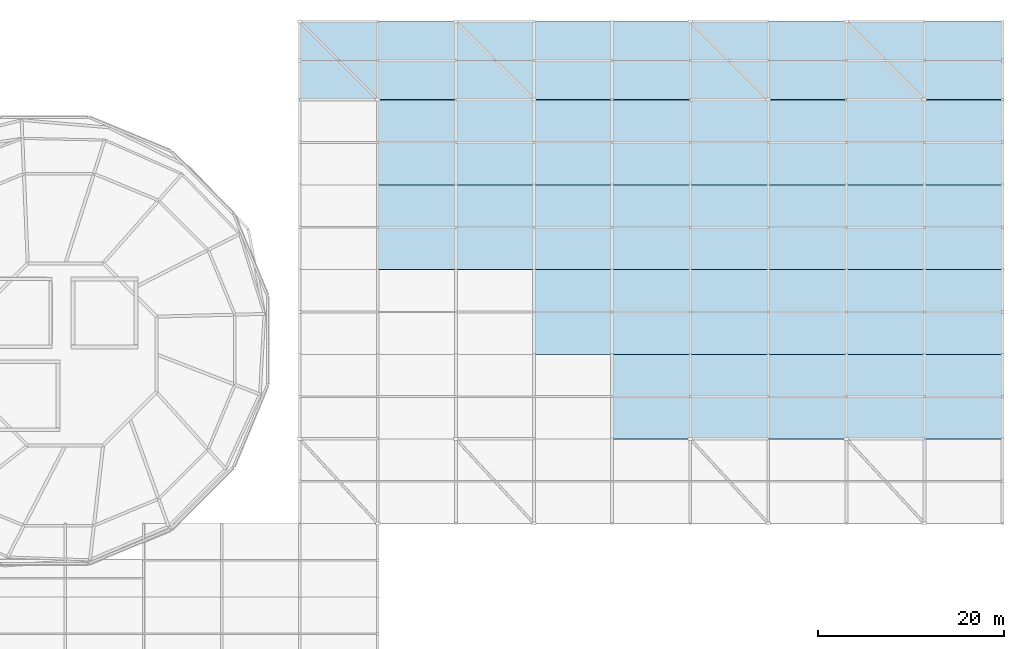
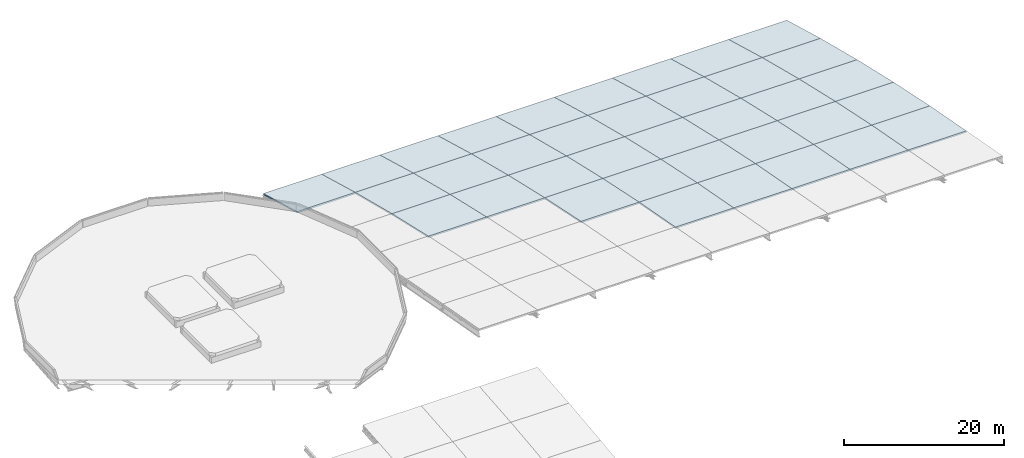
# One storey, part 6 of 12: 36 slabs, 9 elements without a shape of their own.
"""IFC4 building model written with IfcOpenShell, lengths in metres."""

from ifc_helpers import new_model, si_unit, derived_unit, direction, frame, origin, place, context, subcontext, project, spatial, polyline, outline, extrude, material, layer, layer_set, type_object, element, aggregate, save


model = new_model("IFC4")

# Units and contexts
model_context = context("Model", 3, precision=1e-05, world=origin(), true_north=direction((0.0, 1.0)))
body_context = subcontext(model_context, "Body", "Model", "MODEL_VIEW")
ifc_project = project(units=[si_unit("LENGTHUNIT", "METRE"), si_unit("AREAUNIT", "SQUARE_METRE"), si_unit("VOLUMEUNIT", "CUBIC_METRE"), si_unit("PLANEANGLEUNIT", "RADIAN"), si_unit("MASSUNIT", "GRAM", prefix="KILO"), derived_unit("THERMALTRANSMITTANCEUNIT", [(si_unit("MASSUNIT", "GRAM", prefix="KILO"), 1), (si_unit("TIMEUNIT", "SECOND"), -3), (si_unit("THERMODYNAMICTEMPERATUREUNIT", "KELVIN"), -1)])], contexts=[model_context])

# Site, building, storey
site_placement = place(None, origin())
site = spatial("IfcSite", under=ifc_project, at=site_placement, CompositionType="ELEMENT")
building_placement = place(site_placement, origin())
building = spatial("IfcBuilding", under=site, at=building_placement, Name="Makaiwela Harbour Ferry Terminal", CompositionType="ELEMENT")
storey_placement = place(building_placement, frame((0.0, 0.0, 25.5)))
storey = spatial("IfcBuildingStorey", under=building, at=storey_placement, Name="ROOF", CompositionType="ELEMENT", Elevation=25.5)

# Roof, slab
ifc_material_1 = material(Name="Standing-seam marine zinc roofing", Category="aluminium")
ifc_layer_1 = layer(ifc_material_1, 0.199951171875)
ifc_layer_set_1 = layer_set([ifc_layer_1], Name="Standing-seam marine zinc roofing")
roof_type = type_object("IfcRoofType", Name="RF-BARREL-01", PredefinedType="BARREL_ROOF", material=ifc_layer_set_1)
roof_1_placement = place(storey_placement, origin())
roof_1 = element("IfcRoof", 1, at=roof_1_placement, inside=storey, type_object=roof_type, Name="Departure Hall Barrel Vault Bay 1", PredefinedType="BARREL_ROOF")
ifc_material_2 = material(Name="Concrete f'c 35 MPa (5000 psi)", Category="concrete")
ifc_layer_2 = layer(ifc_material_2, 0.199951171875)
ifc_layer_set_2 = layer_set([ifc_layer_2], Name="Concrete f'c 35 MPa (5000 psi)")
slab_type = type_object("IfcSlabType", Name="SLB-RF-200", PredefinedType="ROOF", material=ifc_layer_set_2)
slab_1_placement = place(storey_placement, frame((63.0, 95.0, -9.97998046875), z_axis=(0.0, 0.266233319098, 0.963908615898), x_axis=(1.0, 0.0, 0.0)))
slab_1 = element("IfcSlab", 2, at=slab_1_placement, type_object=slab_type, Name="Vault Roof Slab SLB-051", PredefinedType="ROOF", context=body_context, shape_type="SweptSolid", body=[
    extrude(outline(polyline([(0.0, 0.0), (8.39990234375, 0.0), (8.39990234375, 8.714417741691623), (0.0, 8.714417741691623), (0.0, 0.0)])), origin(), (0.0, 0.0, -1.0), 0.199951171875),
])
aggregate(roof_1, [slab_1])

# Roof, slabs
roof_2_placement = place(storey_placement, origin())
roof_2 = element("IfcRoof", 3, at=roof_2_placement, inside=storey, type_object=roof_type, Name="Departure Hall Barrel Vault Bay 2", PredefinedType="BARREL_ROOF")
slab_2_placement = place(storey_placement, frame((71.39990234375, 95.0, -9.97998046875), z_axis=(0.0, 0.266233319098, 0.963908615898), x_axis=(1.0, 0.0, 0.0)))
slab_2 = element("IfcSlab", 4, at=slab_2_placement, type_object=slab_type, Name="Vault Roof Slab SLB-057", PredefinedType="ROOF", context=body_context, shape_type="SweptSolid", body=[
    extrude(outline(polyline([(0.0, 0.0), (8.400146484375, 0.0), (8.400146484375, 8.714417741691626), (0.0, 8.714417741691626), (0.0, 0.0)])), origin(), (0.0, 0.0, -1.0), 0.199951171875),
])
slab_3_placement = place(storey_placement, frame((71.39990234375, 85.800048828125, -7.659912109375), z_axis=(0.0, 0.244527039471, 0.969642473785), x_axis=(1.0, 0.0, 0.0)))
slab_3 = element("IfcSlab", 5, at=slab_3_placement, type_object=slab_type, Name="Vault Roof Slab SLB-058", PredefinedType="ROOF", context=body_context, shape_type="SweptSolid", body=[
    extrude(outline(polyline([(0.0, 0.0), (8.400146484375, 0.0), (8.400146484375, 9.48798286028475), (0.0, 9.48798286028475), (0.0, 0.0)])), origin(), (0.0, 0.0, -1.0), 0.199951171875),
])
slab_4_placement = place(storey_placement, frame((71.39990234375, 76.699951171875, -5.580078125), z_axis=(0.0, 0.222805627295, 0.974862889049), x_axis=(1.0, 0.0, 0.0)))
slab_4 = element("IfcSlab", 6, at=slab_4_placement, type_object=slab_type, Name="Vault Roof Slab SLB-059", PredefinedType="ROOF", context=body_context, shape_type="SweptSolid", body=[
    extrude(outline(polyline([(0.0, 0.0), (8.400146484375, 0.0), (8.400146484375, 9.334746207361393), (0.0, 9.334746207361393), (0.0, 0.0)])), origin(), (0.0, 0.0, -1.0), 0.199951171875),
])
aggregate(roof_2, [slab_2, slab_3, slab_4])

roof_3_placement = place(storey_placement, origin())
roof_3 = element("IfcRoof", 7, at=roof_3_placement, inside=storey, type_object=roof_type, Name="Departure Hall Barrel Vault Bay 3", PredefinedType="BARREL_ROOF")
slab_5_placement = place(storey_placement, frame((79.800048828125, 95.0, -9.97998046875), z_axis=(0.0, 0.266233319098, 0.963908615898), x_axis=(1.0, 0.0, 0.0)))
slab_5 = element("IfcSlab", 8, at=slab_5_placement, type_object=slab_type, Name="Vault Roof Slab SLB-063", PredefinedType="ROOF", context=body_context, shape_type="SweptSolid", body=[
    extrude(outline(polyline([(0.0, 0.0), (8.39990234375, 0.0), (8.39990234375, 8.714417741691623), (0.0, 8.714417741691623), (0.0, 0.0)])), origin(), (0.0, 0.0, -1.0), 0.199951171875),
])
slab_6_placement = place(storey_placement, frame((79.800048828125, 85.800048828125, -7.659912109375), z_axis=(0.0, 0.244527039471, 0.969642473785), x_axis=(1.0, 0.0, 0.0)))
slab_6 = element("IfcSlab", 9, at=slab_6_placement, type_object=slab_type, Name="Vault Roof Slab SLB-064", PredefinedType="ROOF", context=body_context, shape_type="SweptSolid", body=[
    extrude(outline(polyline([(0.0, 0.0), (8.39990234375, 0.0), (8.39990234375, 9.48798286028475), (0.0, 9.48798286028475), (0.0, 0.0)])), origin(), (0.0, 0.0, -1.0), 0.199951171875),
])
slab_7_placement = place(storey_placement, frame((79.800048828125, 76.699951171875, -5.580078125), z_axis=(0.0, 0.222805627295, 0.974862889049), x_axis=(1.0, 0.0, 0.0)))
slab_7 = element("IfcSlab", 10, at=slab_7_placement, type_object=slab_type, Name="Vault Roof Slab SLB-065", PredefinedType="ROOF", context=body_context, shape_type="SweptSolid", body=[
    extrude(outline(polyline([(0.0, 0.0), (8.39990234375, 0.0), (8.39990234375, 9.334746207361395), (0.0, 9.334746207361395), (0.0, 0.0)])), origin(), (0.0, 0.0, -1.0), 0.199951171875),
])
aggregate(roof_3, [slab_5, slab_6, slab_7])

roof_4_placement = place(storey_placement, origin())
roof_4 = element("IfcRoof", 11, at=roof_4_placement, inside=storey, type_object=roof_type, Name="Departure Hall Barrel Vault Bay 4", PredefinedType="BARREL_ROOF")
slab_8_placement = place(storey_placement, frame((88.199951171875, 95.0, -9.97998046875), z_axis=(0.0, 0.266233319098, 0.963908615898), x_axis=(1.0, 0.0, 0.0)))
slab_8 = element("IfcSlab", 12, at=slab_8_placement, type_object=slab_type, Name="Vault Roof Slab SLB-069", PredefinedType="ROOF", context=body_context, shape_type="SweptSolid", body=[
    extrude(outline(polyline([(0.0, 0.0), (8.400146484375, 0.0), (8.400146484375, 8.714417741691626), (0.0, 8.714417741691626), (0.0, 0.0)])), origin(), (0.0, 0.0, -1.0), 0.199951171875),
])
slab_9_placement = place(storey_placement, frame((88.199951171875, 85.800048828125, -7.659912109375), z_axis=(0.0, 0.244527039471, 0.969642473785), x_axis=(1.0, 0.0, 0.0)))
slab_9 = element("IfcSlab", 13, at=slab_9_placement, type_object=slab_type, Name="Vault Roof Slab SLB-070", PredefinedType="ROOF", context=body_context, shape_type="SweptSolid", body=[
    extrude(outline(polyline([(0.0, 0.0), (8.400146484375, 0.0), (8.400146484375, 9.48798286028475), (0.0, 9.48798286028475), (0.0, 0.0)])), origin(), (0.0, 0.0, -1.0), 0.199951171875),
])
slab_10_placement = place(storey_placement, frame((88.199951171875, 76.699951171875, -5.580078125), z_axis=(0.0, 0.222805627295, 0.974862889049), x_axis=(1.0, 0.0, 0.0)))
slab_10 = element("IfcSlab", 14, at=slab_10_placement, type_object=slab_type, Name="Vault Roof Slab SLB-071", PredefinedType="ROOF", context=body_context, shape_type="SweptSolid", body=[
    extrude(outline(polyline([(0.0, 0.0), (8.400146484375, 0.0), (8.400146484375, 9.334746207361393), (0.0, 9.334746207361393), (0.0, 0.0)])), origin(), (0.0, 0.0, -1.0), 0.199951171875),
])
slab_11_placement = place(storey_placement, frame((88.199951171875, 67.60009765625, -3.679931640625), z_axis=(0.0, 0.204402052135, 0.978887021613), x_axis=(1.0, 0.0, 0.0)))
slab_11 = element("IfcSlab", 15, at=slab_11_placement, type_object=slab_type, Name="Vault Roof Slab SLB-072", PredefinedType="ROOF", context=body_context, shape_type="SweptSolid", body=[
    extrude(outline(polyline([(0.0, 0.0), (8.400146484375, 0.0), (8.400146484375, 9.296122345791032), (0.0, 9.296122345791032), (0.0, 0.0)])), origin(), (0.0, 0.0, -1.0), 0.199951171875),
])
aggregate(roof_4, [slab_8, slab_9, slab_10, slab_11])

roof_5_placement = place(storey_placement, origin())
roof_5 = element("IfcRoof", 16, at=roof_5_placement, inside=storey, type_object=roof_type, Name="Departure Hall Barrel Vault Bay 5", PredefinedType="BARREL_ROOF")
slab_12_placement = place(storey_placement, frame((96.60009765625, 95.0, -9.97998046875), z_axis=(0.0, 0.266233319098, 0.963908615898), x_axis=(1.0, 0.0, 0.0)))
slab_12 = element("IfcSlab", 17, at=slab_12_placement, type_object=slab_type, Name="Vault Roof Slab SLB-075", PredefinedType="ROOF", context=body_context, shape_type="SweptSolid", body=[
    extrude(outline(polyline([(0.0, 0.0), (8.39990234375, 0.0), (8.39990234375, 8.714417741691623), (0.0, 8.714417741691623), (0.0, 0.0)])), origin(), (0.0, 0.0, -1.0), 0.199951171875),
])
slab_13_placement = place(storey_placement, frame((96.60009765625, 85.800048828125, -7.659912109375), z_axis=(0.0, 0.244527039471, 0.969642473785), x_axis=(1.0, 0.0, 0.0)))
slab_13 = element("IfcSlab", 18, at=slab_13_placement, type_object=slab_type, Name="Vault Roof Slab SLB-076", PredefinedType="ROOF", context=body_context, shape_type="SweptSolid", body=[
    extrude(outline(polyline([(0.0, 0.0), (8.39990234375, 0.0), (8.39990234375, 9.48798286028475), (0.0, 9.48798286028475), (0.0, 0.0)])), origin(), (0.0, 0.0, -1.0), 0.199951171875),
])
slab_14_placement = place(storey_placement, frame((96.60009765625, 76.699951171875, -5.580078125), z_axis=(0.0, 0.222805627295, 0.974862889049), x_axis=(1.0, 0.0, 0.0)))
slab_14 = element("IfcSlab", 19, at=slab_14_placement, type_object=slab_type, Name="Vault Roof Slab SLB-077", PredefinedType="ROOF", context=body_context, shape_type="SweptSolid", body=[
    extrude(outline(polyline([(0.0, 0.0), (8.39990234375, 0.0), (8.39990234375, 9.334746207361395), (0.0, 9.334746207361395), (0.0, 0.0)])), origin(), (0.0, 0.0, -1.0), 0.199951171875),
])
slab_15_placement = place(storey_placement, frame((96.60009765625, 67.60009765625, -3.679931640625), z_axis=(0.0, 0.204402052135, 0.978887021613), x_axis=(1.0, 0.0, 0.0)))
slab_15 = element("IfcSlab", 20, at=slab_15_placement, type_object=slab_type, Name="Vault Roof Slab SLB-078", PredefinedType="ROOF", context=body_context, shape_type="SweptSolid", body=[
    extrude(outline(polyline([(0.0, 0.0), (8.39990234375, 0.0), (8.39990234375, 9.296122345791032), (0.0, 9.296122345791032), (0.0, 0.0)])), origin(), (0.0, 0.0, -1.0), 0.199951171875),
])
slab_16_placement = place(storey_placement, frame((96.60009765625, 58.5, -1.97998046875), z_axis=(0.0, 0.183629289337, 0.982995566672), x_axis=(1.0, 0.0, 0.0)))
slab_16 = element("IfcSlab", 21, at=slab_16_placement, type_object=slab_type, Name="Vault Roof Slab SLB-079", PredefinedType="ROOF", context=body_context, shape_type="SweptSolid", body=[
    extrude(outline(polyline([(0.0, 0.0), (8.39990234375, 0.0), (8.39990234375, 9.257516477978633), (0.0, 9.257516477978633), (0.0, 0.0)])), origin(), (0.0, 0.0, -1.0), 0.199951171875),
])
aggregate(roof_5, [slab_12, slab_13, slab_14, slab_15, slab_16])

roof_6_placement = place(storey_placement, origin())
roof_6 = element("IfcRoof", 22, at=roof_6_placement, inside=storey, type_object=roof_type, Name="Departure Hall Barrel Vault Bay 6", PredefinedType="BARREL_ROOF")
slab_17_placement = place(storey_placement, frame((105.0, 95.0, -9.97998046875), z_axis=(0.0, 0.266233319098, 0.963908615898), x_axis=(1.0, 0.0, 0.0)))
slab_17 = element("IfcSlab", 23, at=slab_17_placement, type_object=slab_type, Name="Vault Roof Slab SLB-081", PredefinedType="ROOF", context=body_context, shape_type="SweptSolid", body=[
    extrude(outline(polyline([(0.0, 0.0), (8.39990234375, 0.0), (8.39990234375, 8.714417741691623), (0.0, 8.714417741691623), (0.0, 0.0)])), origin(), (0.0, 0.0, -1.0), 0.199951171875),
])
slab_18_placement = place(storey_placement, frame((105.0, 85.800048828125, -7.659912109375), z_axis=(0.0, 0.244527039471, 0.969642473785), x_axis=(1.0, 0.0, 0.0)))
slab_18 = element("IfcSlab", 24, at=slab_18_placement, type_object=slab_type, Name="Vault Roof Slab SLB-082", PredefinedType="ROOF", context=body_context, shape_type="SweptSolid", body=[
    extrude(outline(polyline([(0.0, 0.0), (8.39990234375, 0.0), (8.39990234375, 9.48798286028475), (0.0, 9.48798286028475), (0.0, 0.0)])), origin(), (0.0, 0.0, -1.0), 0.199951171875),
])
slab_19_placement = place(storey_placement, frame((105.0, 76.699951171875, -5.580078125), z_axis=(0.0, 0.222805627295, 0.974862889049), x_axis=(1.0, 0.0, 0.0)))
slab_19 = element("IfcSlab", 25, at=slab_19_placement, type_object=slab_type, Name="Vault Roof Slab SLB-083", PredefinedType="ROOF", context=body_context, shape_type="SweptSolid", body=[
    extrude(outline(polyline([(0.0, 0.0), (8.39990234375, 0.0), (8.39990234375, 9.334746207361395), (0.0, 9.334746207361395), (0.0, 0.0)])), origin(), (0.0, 0.0, -1.0), 0.199951171875),
])
slab_20_placement = place(storey_placement, frame((105.0, 67.60009765625, -3.679931640625), z_axis=(0.0, 0.204402052135, 0.978887021613), x_axis=(1.0, 0.0, 0.0)))
slab_20 = element("IfcSlab", 26, at=slab_20_placement, type_object=slab_type, Name="Vault Roof Slab SLB-084", PredefinedType="ROOF", context=body_context, shape_type="SweptSolid", body=[
    extrude(outline(polyline([(0.0, 0.0), (8.39990234375, 0.0), (8.39990234375, 9.296122345791032), (0.0, 9.296122345791032), (0.0, 0.0)])), origin(), (0.0, 0.0, -1.0), 0.199951171875),
])
slab_21_placement = place(storey_placement, frame((105.0, 58.5, -1.97998046875), z_axis=(0.0, 0.183629289337, 0.982995566672), x_axis=(1.0, 0.0, 0.0)))
slab_21 = element("IfcSlab", 27, at=slab_21_placement, type_object=slab_type, Name="Vault Roof Slab SLB-085", PredefinedType="ROOF", context=body_context, shape_type="SweptSolid", body=[
    extrude(outline(polyline([(0.0, 0.0), (8.39990234375, 0.0), (8.39990234375, 9.257516477978633), (0.0, 9.257516477978633), (0.0, 0.0)])), origin(), (0.0, 0.0, -1.0), 0.199951171875),
])
aggregate(roof_6, [slab_17, slab_18, slab_19, slab_20, slab_21])

roof_7_placement = place(storey_placement, origin())
roof_7 = element("IfcRoof", 28, at=roof_7_placement, inside=storey, type_object=roof_type, Name="Departure Hall Barrel Vault Bay 7", PredefinedType="BARREL_ROOF")
slab_22_placement = place(storey_placement, frame((113.39990234375, 95.0, -9.97998046875), z_axis=(0.0, 0.266233319098, 0.963908615898), x_axis=(1.0, 0.0, 0.0)))
slab_22 = element("IfcSlab", 29, at=slab_22_placement, type_object=slab_type, Name="Vault Roof Slab SLB-087", PredefinedType="ROOF", context=body_context, shape_type="SweptSolid", body=[
    extrude(outline(polyline([(0.0, 0.0), (8.400146484375, 0.0), (8.400146484375, 8.714417741691626), (0.0, 8.714417741691626), (0.0, 0.0)])), origin(), (0.0, 0.0, -1.0), 0.199951171875),
])
slab_23_placement = place(storey_placement, frame((113.39990234375, 85.800048828125, -7.659912109375), z_axis=(0.0, 0.244527039471, 0.969642473785), x_axis=(1.0, 0.0, 0.0)))
slab_23 = element("IfcSlab", 30, at=slab_23_placement, type_object=slab_type, Name="Vault Roof Slab SLB-088", PredefinedType="ROOF", context=body_context, shape_type="SweptSolid", body=[
    extrude(outline(polyline([(0.0, 0.0), (8.400146484375, 0.0), (8.400146484375, 9.48798286028475), (0.0, 9.48798286028475), (0.0, 0.0)])), origin(), (0.0, 0.0, -1.0), 0.199951171875),
])
slab_24_placement = place(storey_placement, frame((113.39990234375, 76.699951171875, -5.580078125), z_axis=(0.0, 0.222805627295, 0.974862889049), x_axis=(1.0, 0.0, 0.0)))
slab_24 = element("IfcSlab", 31, at=slab_24_placement, type_object=slab_type, Name="Vault Roof Slab SLB-089", PredefinedType="ROOF", context=body_context, shape_type="SweptSolid", body=[
    extrude(outline(polyline([(0.0, 0.0), (8.400146484375, 0.0), (8.400146484375, 9.334746207361393), (0.0, 9.334746207361393), (0.0, 0.0)])), origin(), (0.0, 0.0, -1.0), 0.199951171875),
])
slab_25_placement = place(storey_placement, frame((113.39990234375, 67.60009765625, -3.679931640625), z_axis=(0.0, 0.204402052135, 0.978887021613), x_axis=(1.0, 0.0, 0.0)))
slab_25 = element("IfcSlab", 32, at=slab_25_placement, type_object=slab_type, Name="Vault Roof Slab SLB-090", PredefinedType="ROOF", context=body_context, shape_type="SweptSolid", body=[
    extrude(outline(polyline([(0.0, 0.0), (8.400146484375, 0.0), (8.400146484375, 9.296122345791032), (0.0, 9.296122345791032), (0.0, 0.0)])), origin(), (0.0, 0.0, -1.0), 0.199951171875),
])
slab_26_placement = place(storey_placement, frame((113.39990234375, 58.5, -1.97998046875), z_axis=(0.0, 0.183629289337, 0.982995566672), x_axis=(1.0, 0.0, 0.0)))
slab_26 = element("IfcSlab", 33, at=slab_26_placement, type_object=slab_type, Name="Vault Roof Slab SLB-091", PredefinedType="ROOF", context=body_context, shape_type="SweptSolid", body=[
    extrude(outline(polyline([(0.0, 0.0), (8.400146484375, 0.0), (8.400146484375, 9.257516477978635), (0.0, 9.257516477978635), (0.0, 0.0)])), origin(), (0.0, 0.0, -1.0), 0.199951171875),
])
aggregate(roof_7, [slab_22, slab_23, slab_24, slab_25, slab_26])

roof_8_placement = place(storey_placement, origin())
roof_8 = element("IfcRoof", 34, at=roof_8_placement, inside=storey, type_object=roof_type, Name="Departure Hall Barrel Vault Bay 8", PredefinedType="BARREL_ROOF")
slab_27_placement = place(storey_placement, frame((121.800048828125, 95.0, -9.97998046875), z_axis=(0.0, 0.266233319098, 0.963908615898), x_axis=(1.0, 0.0, 0.0)))
slab_27 = element("IfcSlab", 35, at=slab_27_placement, type_object=slab_type, Name="Vault Roof Slab SLB-093", PredefinedType="ROOF", context=body_context, shape_type="SweptSolid", body=[
    extrude(outline(polyline([(0.0, 0.0), (8.39990234375, 0.0), (8.39990234375, 8.714417741691623), (0.0, 8.714417741691623), (0.0, 0.0)])), origin(), (0.0, 0.0, -1.0), 0.199951171875),
])
slab_28_placement = place(storey_placement, frame((121.800048828125, 85.800048828125, -7.659912109375), z_axis=(0.0, 0.244527039471, 0.969642473785), x_axis=(1.0, 0.0, 0.0)))
slab_28 = element("IfcSlab", 36, at=slab_28_placement, type_object=slab_type, Name="Vault Roof Slab SLB-094", PredefinedType="ROOF", context=body_context, shape_type="SweptSolid", body=[
    extrude(outline(polyline([(0.0, 0.0), (8.39990234375, 0.0), (8.39990234375, 9.48798286028475), (0.0, 9.48798286028475), (0.0, 0.0)])), origin(), (0.0, 0.0, -1.0), 0.199951171875),
])
slab_29_placement = place(storey_placement, frame((121.800048828125, 76.699951171875, -5.580078125), z_axis=(0.0, 0.222805627295, 0.974862889049), x_axis=(1.0, 0.0, 0.0)))
slab_29 = element("IfcSlab", 37, at=slab_29_placement, type_object=slab_type, Name="Vault Roof Slab SLB-095", PredefinedType="ROOF", context=body_context, shape_type="SweptSolid", body=[
    extrude(outline(polyline([(0.0, 0.0), (8.39990234375, 0.0), (8.39990234375, 9.334746207361395), (0.0, 9.334746207361395), (0.0, 0.0)])), origin(), (0.0, 0.0, -1.0), 0.199951171875),
])
slab_30_placement = place(storey_placement, frame((121.800048828125, 67.60009765625, -3.679931640625), z_axis=(0.0, 0.204402052135, 0.978887021613), x_axis=(1.0, 0.0, 0.0)))
slab_30 = element("IfcSlab", 38, at=slab_30_placement, type_object=slab_type, Name="Vault Roof Slab SLB-096", PredefinedType="ROOF", context=body_context, shape_type="SweptSolid", body=[
    extrude(outline(polyline([(0.0, 0.0), (8.39990234375, 0.0), (8.39990234375, 9.296122345791032), (0.0, 9.296122345791032), (0.0, 0.0)])), origin(), (0.0, 0.0, -1.0), 0.199951171875),
])
slab_31_placement = place(storey_placement, frame((121.800048828125, 58.5, -1.97998046875), z_axis=(0.0, 0.183629289337, 0.982995566672), x_axis=(1.0, 0.0, 0.0)))
slab_31 = element("IfcSlab", 39, at=slab_31_placement, type_object=slab_type, Name="Vault Roof Slab SLB-097", PredefinedType="ROOF", context=body_context, shape_type="SweptSolid", body=[
    extrude(outline(polyline([(0.0, 0.0), (8.39990234375, 0.0), (8.39990234375, 9.257516477978633), (0.0, 9.257516477978633), (0.0, 0.0)])), origin(), (0.0, 0.0, -1.0), 0.199951171875),
])
aggregate(roof_8, [slab_27, slab_28, slab_29, slab_30, slab_31])

roof_9_placement = place(storey_placement, origin())
roof_9 = element("IfcRoof", 40, at=roof_9_placement, inside=storey, type_object=roof_type, Name="Departure Hall Barrel Vault Bay 9", PredefinedType="BARREL_ROOF")
slab_32_placement = place(storey_placement, frame((130.199951171875, 95.0, -9.97998046875), z_axis=(0.0, 0.266233319098, 0.963908615898), x_axis=(1.0, 0.0, 0.0)))
slab_32 = element("IfcSlab", 41, at=slab_32_placement, type_object=slab_type, Name="Vault Roof Slab SLB-099", PredefinedType="ROOF", context=body_context, shape_type="SweptSolid", body=[
    extrude(outline(polyline([(0.0, 0.0), (8.400146484375, 0.0), (8.400146484375, 8.714417741691626), (0.0, 8.714417741691626), (0.0, 0.0)])), origin(), (0.0, 0.0, -1.0), 0.199951171875),
])
slab_33_placement = place(storey_placement, frame((130.199951171875, 85.800048828125, -7.659912109375), z_axis=(0.0, 0.244527039471, 0.969642473785), x_axis=(1.0, 0.0, 0.0)))
slab_33 = element("IfcSlab", 42, at=slab_33_placement, type_object=slab_type, Name="Vault Roof Slab SLB-100", PredefinedType="ROOF", context=body_context, shape_type="SweptSolid", body=[
    extrude(outline(polyline([(0.0, 0.0), (8.400146484375, 0.0), (8.400146484375, 9.48798286028475), (0.0, 9.48798286028475), (0.0, 0.0)])), origin(), (0.0, 0.0, -1.0), 0.199951171875),
])
slab_34_placement = place(storey_placement, frame((130.199951171875, 76.699951171875, -5.580078125), z_axis=(0.0, 0.222805627295, 0.974862889049), x_axis=(1.0, 0.0, 0.0)))
slab_34 = element("IfcSlab", 43, at=slab_34_placement, type_object=slab_type, Name="Vault Roof Slab SLB-101", PredefinedType="ROOF", context=body_context, shape_type="SweptSolid", body=[
    extrude(outline(polyline([(0.0, 0.0), (8.400146484375, 0.0), (8.400146484375, 9.334746207361393), (0.0, 9.334746207361393), (0.0, 0.0)])), origin(), (0.0, 0.0, -1.0), 0.199951171875),
])
slab_35_placement = place(storey_placement, frame((130.199951171875, 67.60009765625, -3.679931640625), z_axis=(0.0, 0.204402052135, 0.978887021613), x_axis=(1.0, 0.0, 0.0)))
slab_35 = element("IfcSlab", 44, at=slab_35_placement, type_object=slab_type, Name="Vault Roof Slab SLB-102", PredefinedType="ROOF", context=body_context, shape_type="SweptSolid", body=[
    extrude(outline(polyline([(0.0, 0.0), (8.400146484375, 0.0), (8.400146484375, 9.296122345791032), (0.0, 9.296122345791032), (0.0, 0.0)])), origin(), (0.0, 0.0, -1.0), 0.199951171875),
])
slab_36_placement = place(storey_placement, frame((130.199951171875, 58.5, -1.97998046875), z_axis=(0.0, 0.183629289337, 0.982995566672), x_axis=(1.0, 0.0, 0.0)))
slab_36 = element("IfcSlab", 45, at=slab_36_placement, type_object=slab_type, Name="Vault Roof Slab SLB-103", PredefinedType="ROOF", context=body_context, shape_type="SweptSolid", body=[
    extrude(outline(polyline([(0.0, 0.0), (8.400146484375, 0.0), (8.400146484375, 9.257516477978635), (0.0, 9.257516477978635), (0.0, 0.0)])), origin(), (0.0, 0.0, -1.0), 0.199951171875),
])
aggregate(roof_9, [slab_32, slab_33, slab_34, slab_35, slab_36])

save(model, "model.ifc")
